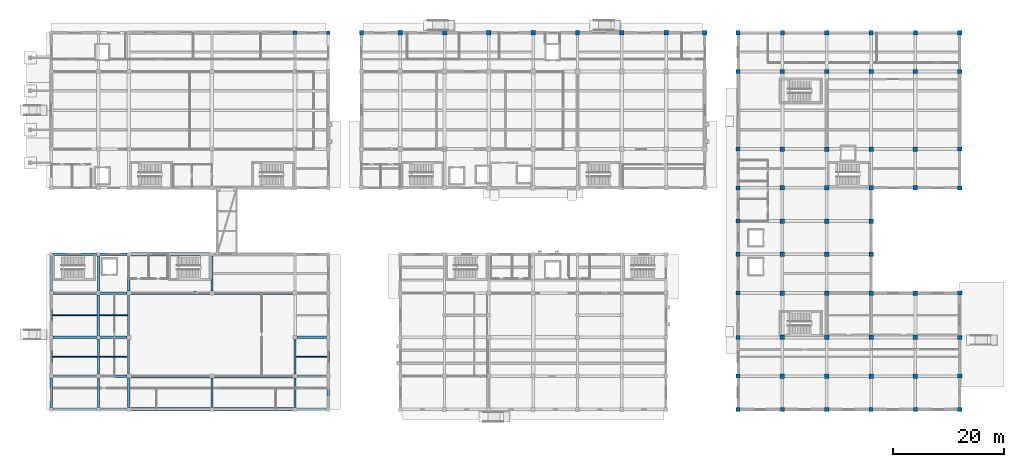
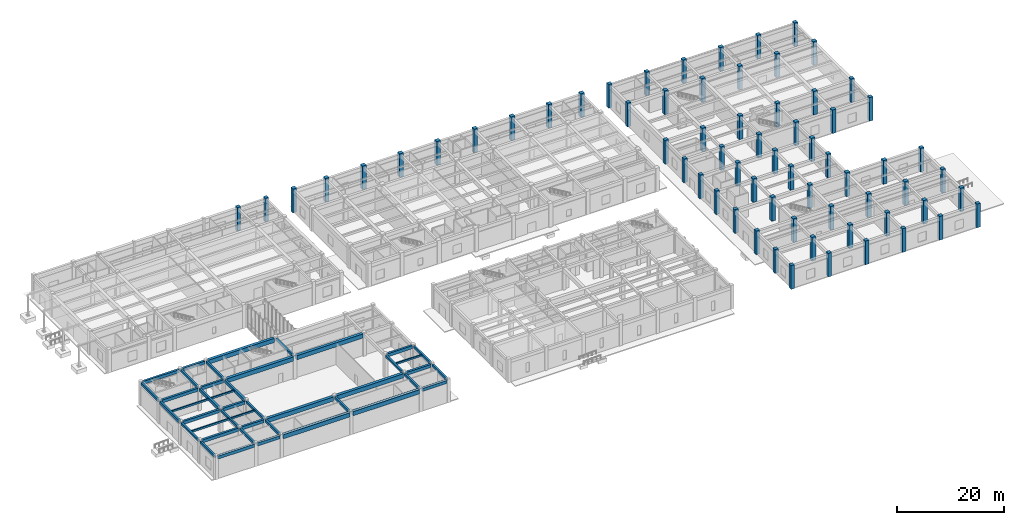
# One storey, part 5 of 40: 67 columns, 43 beams.
"""IFC4 building model written with IfcOpenShell, lengths in metres."""

from ifc_helpers import new_model, si_unit, direction, frame, origin, origin_2d, place, context, subcontext, project, spatial, rectangle, extrude, material, material_profile, profile_set, type_object, element, save


model = new_model("IFC4")

# Units and contexts
model_context = context("Model", 3, precision=1e-05, world=origin(), true_north=direction((0.0, 1.0)))
body_context = subcontext(model_context, "Body", "Model", "MODEL_VIEW")
ifc_project = project(units=[si_unit("LENGTHUNIT", "METRE"), si_unit("AREAUNIT", "SQUARE_METRE"), si_unit("VOLUMEUNIT", "CUBIC_METRE"), si_unit("PLANEANGLEUNIT", "RADIAN"), si_unit("MASSUNIT", "GRAM", prefix="KILO")], contexts=[model_context])

# Site, building, storey
site_placement = place(None, origin())
site = spatial("IfcSite", under=ifc_project, at=site_placement, CompositionType="ELEMENT")
building_placement = place(site_placement, origin())
building = spatial("IfcBuilding", under=site, at=building_placement, Name="Naurynzar Civic Courthouse", CompositionType="ELEMENT")
storey_placement = place(building_placement, origin())
storey = spatial("IfcBuildingStorey", under=building, at=storey_placement, Name="L01", CompositionType="ELEMENT", Elevation=0.0)

# Columns
ifc_material_1 = material(Name="Concrete C40/50", Category="concrete")
ifc_material_profile_1 = material_profile(ifc_material_1, rectangle(XDim=0.699951171875, YDim=0.699951171875, at=origin_2d()), Name="RC 700x700")
ifc_profile_set_1 = profile_set([ifc_material_profile_1], Name="Concrete C40/50")
column_type_1 = type_object("IfcColumnType", Name="COL-RC-700", PredefinedType="COLUMN", material=ifc_profile_set_1)
for number, where, z_axis, x_axis, name in (
    (1, (50.0, 72.0, 0.0), (0.0, 0.0, 1.0), (1.0, 0.0, 0.0), "V1 column (50.0,72.0) L01"),
    (2, (56.0, 72.0, 0.0), (0.0, 0.0, 1.0), (1.0, 0.0, 0.0), "V1 column (56.0,72.0) L01"),
):
    element("IfcColumn", number, at=place(storey_placement, frame(where, z_axis=z_axis, x_axis=x_axis)), inside=storey, type_object=column_type_1, Name=name, PredefinedType="COLUMN", context=body_context, shape_type="SweptSolid", body=[
        extrude(rectangle(XDim=0.699951171875, YDim=0.699951171875, at=origin_2d()), origin(), (0.0, 0.0, 1.0), 5.39990234375),
    ])
ifc_material_2 = material(Name="Concrete C40/50", Category="concrete")
ifc_material_profile_2 = material_profile(ifc_material_2, rectangle(XDim=0.75, YDim=0.75, at=origin_2d()), Name="RC 750x750")
ifc_profile_set_2 = profile_set([ifc_material_profile_2], Name="Concrete C40/50")
column_type_2 = type_object("IfcColumnType", Name="COL-RC-750", PredefinedType="COLUMN", material=ifc_profile_set_2)
for number, where, z_axis, x_axis, name in (
    (3, (130.0, 4.0, 0.0), (0.0, 0.0, 1.0), (1.0, 0.0, 0.0), "V5 column (130.0,4.0) L01"),
    (4, (130.0, 10.0, 0.0), (0.0, 0.0, 1.0), (1.0, 0.0, 0.0), "V5 column (130.0,10.0) L01"),
    (5, (130.0, 17.0, 0.0), (0.0, 0.0, 1.0), (1.0, 0.0, 0.0), "V5 column (130.0,17.0) L01"),
    (6, (130.0, 25.0, 0.0), (0.0, 0.0, 1.0), (1.0, 0.0, 0.0), "V5 column (130.0,25.0) L01"),
    (7, (130.0, 32.0, 0.0), (0.0, 0.0, 1.0), (1.0, 0.0, 0.0), "V5 column (130.0,32.0) L01"),
    (8, (130.0, 38.0, 0.0), (0.0, 0.0, 1.0), (1.0, 0.0, 0.0), "V5 column (130.0,38.0) L01"),
    (9, (130.0, 44.0, 0.0), (0.0, 0.0, 1.0), (1.0, 0.0, 0.0), "V5 column (130.0,44.0) L01"),
    (10, (130.0, 51.0, 0.0), (0.0, 0.0, 1.0), (1.0, 0.0, 0.0), "V5 column (130.0,51.0) L01"),
    (11, (130.0, 65.0, 0.0), (0.0, 0.0, 1.0), (1.0, 0.0, 0.0), "V5 column (130.0,65.0) L01"),
    (12, (130.0, 72.0, 0.0), (0.0, 0.0, 1.0), (1.0, 0.0, 0.0), "V5 column (130.0,72.0) L01"),
    (13, (138.0, 4.0, 0.0), (0.0, 0.0, 1.0), (1.0, 0.0, 0.0), "V5 column (138.0,4.0) L01"),
    (14, (138.0, 72.0, 0.0), (0.0, 0.0, 1.0), (1.0, 0.0, 0.0), "V5 column (138.0,72.0) L01"),
    (15, (146.0, 4.0, 0.0), (0.0, 0.0, 1.0), (1.0, 0.0, 0.0), "V5 column (146.0,4.0) L01"),
    (16, (146.0, 72.0, 0.0), (0.0, 0.0, 1.0), (1.0, 0.0, 0.0), "V5 column (146.0,72.0) L01"),
    (17, (154.0, 4.0, 0.0), (0.0, 0.0, 1.0), (1.0, 0.0, 0.0), "V5 column (154.0,4.0) L01"),
    (18, (154.0, 72.0, 0.0), (0.0, 0.0, 1.0), (1.0, 0.0, 0.0), "V5 column (154.0,72.0) L01"),
    (19, (162.0, 4.0, 0.0), (0.0, 0.0, 1.0), (1.0, 0.0, 0.0), "V5 column (162.0,4.0) L01"),
    (20, (162.0, 72.0, 0.0), (0.0, 0.0, 1.0), (1.0, 0.0, 0.0), "V5 column (162.0,72.0) L01"),
    (21, (170.0, 4.0, 0.0), (0.0, 0.0, 1.0), (1.0, 0.0, 0.0), "V5 column (170.0,4.0) L01"),
    (22, (170.0, 10.0, 0.0), (0.0, 0.0, 1.0), (1.0, 0.0, 0.0), "V5 column (170.0,10.0) L01"),
    (23, (170.0, 17.0, 0.0), (0.0, 0.0, 1.0), (1.0, 0.0, 0.0), "V5 column (170.0,17.0) L01"),
    (24, (170.0, 25.0, 0.0), (0.0, 0.0, 1.0), (1.0, 0.0, 0.0), "V5 column (170.0,25.0) L01"),
    (25, (170.0, 44.0, 0.0), (0.0, 0.0, 1.0), (1.0, 0.0, 0.0), "V5 column (170.0,44.0) L01"),
    (26, (170.0, 51.0, 0.0), (0.0, 0.0, 1.0), (1.0, 0.0, 0.0), "V5 column (170.0,51.0) L01"),
    (27, (170.0, 65.0, 0.0), (0.0, 0.0, 1.0), (1.0, 0.0, 0.0), "V5 column (170.0,65.0) L01"),
    (28, (170.0, 72.0, 0.0), (0.0, 0.0, 1.0), (1.0, 0.0, 0.0), "V5 column (170.0,72.0) L01"),
):
    element("IfcColumn", number, at=place(storey_placement, frame(where, z_axis=z_axis, x_axis=x_axis)), inside=storey, type_object=column_type_2, Name=name, PredefinedType="COLUMN", context=body_context, shape_type="SweptSolid", body=[
        extrude(rectangle(XDim=0.75, YDim=0.75, at=origin_2d()), origin(), (0.0, 0.0, 1.0), 5.39990234375),
    ])
ifc_material_3 = material(Name="Concrete C40/50", Category="concrete")
ifc_material_profile_3 = material_profile(ifc_material_3, rectangle(XDim=0.800048828125, YDim=0.800048828125, at=origin_2d()), Name="RC 800x800")
ifc_profile_set_3 = profile_set([ifc_material_profile_3], Name="Concrete C40/50")
column_type_3 = type_object("IfcColumnType", Name="COL-RC-800", PredefinedType="COLUMN", material=ifc_profile_set_3)
for number, where, z_axis, x_axis, name in (
    (29, (62.0, 72.0, 0.0), (0.0, 0.0, 1.0), (1.0, 0.0, 0.0), "V2 column (62.0,72.0) L01"),
    (30, (69.0, 72.0, 0.0), (0.0, 0.0, 1.0), (1.0, 0.0, 0.0), "V2 column (69.0,72.0) L01"),
    (31, (77.0, 72.0, 0.0), (0.0, 0.0, 1.0), (1.0, 0.0, 0.0), "V2 column (77.0,72.0) L01"),
    (32, (85.0, 72.0, 0.0), (0.0, 0.0, 1.0), (1.0, 0.0, 0.0), "V2 column (85.0,72.0) L01"),
    (33, (93.0, 72.0, 0.0), (0.0, 0.0, 1.0), (1.0, 0.0, 0.0), "V2 column (93.0,72.0) L01"),
    (34, (101.0, 72.0, 0.0), (0.0, 0.0, 1.0), (1.0, 0.0, 0.0), "V2 column (101.0,72.0) L01"),
    (35, (109.0, 72.0, 0.0), (0.0, 0.0, 1.0), (1.0, 0.0, 0.0), "V2 column (109.0,72.0) L01"),
    (36, (117.0, 72.0, 0.0), (0.0, 0.0, 1.0), (1.0, 0.0, 0.0), "V2 column (117.0,72.0) L01"),
    (37, (124.0, 72.0, 0.0), (0.0, 0.0, 1.0), (1.0, 0.0, 0.0), "V2 column (124.0,72.0) L01"),
    (38, (138.0, 10.0, 0.0), (0.0, 0.0, 1.0), (1.0, 0.0, 0.0), "V5 column (138.0,10.0) L01"),
    (39, (138.0, 17.0, 0.0), (0.0, 0.0, 1.0), (1.0, 0.0, 0.0), "V5 column (138.0,17.0) L01"),
    (40, (138.0, 25.0, 0.0), (0.0, 0.0, 1.0), (1.0, 0.0, 0.0), "V5 column (138.0,25.0) L01"),
    (41, (138.0, 32.0, 0.0), (0.0, 0.0, 1.0), (1.0, 0.0, 0.0), "V5 column (138.0,32.0) L01"),
    (42, (138.0, 38.0, 0.0), (0.0, 0.0, 1.0), (1.0, 0.0, 0.0), "V5 column (138.0,38.0) L01"),
    (43, (138.0, 44.0, 0.0), (0.0, 0.0, 1.0), (1.0, 0.0, 0.0), "V5 column (138.0,44.0) L01"),
    (44, (138.0, 51.0, 0.0), (0.0, 0.0, 1.0), (1.0, 0.0, 0.0), "V5 column (138.0,51.0) L01"),
    (45, (138.0, 65.0, 0.0), (0.0, 0.0, 1.0), (1.0, 0.0, 0.0), "V5 column (138.0,65.0) L01"),
    (46, (146.0, 10.0, 0.0), (0.0, 0.0, 1.0), (1.0, 0.0, 0.0), "V5 column (146.0,10.0) L01"),
    (47, (146.0, 17.0, 0.0), (0.0, 0.0, 1.0), (1.0, 0.0, 0.0), "V5 column (146.0,17.0) L01"),
    (48, (146.0, 25.0, 0.0), (0.0, 0.0, 1.0), (1.0, 0.0, 0.0), "V5 column (146.0,25.0) L01"),
    (49, (146.0, 32.0, 0.0), (0.0, 0.0, 1.0), (1.0, 0.0, 0.0), "V5 column (146.0,32.0) L01"),
    (50, (146.0, 38.0, 0.0), (0.0, 0.0, 1.0), (1.0, 0.0, 0.0), "V5 column (146.0,38.0) L01"),
    (51, (146.0, 44.0, 0.0), (0.0, 0.0, 1.0), (1.0, 0.0, 0.0), "V5 column (146.0,44.0) L01"),
    (52, (146.0, 51.0, 0.0), (0.0, 0.0, 1.0), (1.0, 0.0, 0.0), "V5 column (146.0,51.0) L01"),
    (53, (146.0, 65.0, 0.0), (0.0, 0.0, 1.0), (1.0, 0.0, 0.0), "V5 column (146.0,65.0) L01"),
    (54, (154.0, 10.0, 0.0), (0.0, 0.0, 1.0), (1.0, 0.0, 0.0), "V5 column (154.0,10.0) L01"),
    (55, (154.0, 17.0, 0.0), (0.0, 0.0, 1.0), (1.0, 0.0, 0.0), "V5 column (154.0,17.0) L01"),
    (56, (154.0, 25.0, 0.0), (0.0, 0.0, 1.0), (1.0, 0.0, 0.0), "V5 column (154.0,25.0) L01"),
    (57, (154.0, 32.0, 0.0), (0.0, 0.0, 1.0), (1.0, 0.0, 0.0), "V5 column (154.0,32.0) L01"),
    (58, (154.0, 38.0, 0.0), (0.0, 0.0, 1.0), (1.0, 0.0, 0.0), "V5 column (154.0,38.0) L01"),
    (59, (154.0, 44.0, 0.0), (0.0, 0.0, 1.0), (1.0, 0.0, 0.0), "V5 column (154.0,44.0) L01"),
    (60, (154.0, 51.0, 0.0), (0.0, 0.0, 1.0), (1.0, 0.0, 0.0), "V5 column (154.0,51.0) L01"),
    (61, (154.0, 65.0, 0.0), (0.0, 0.0, 1.0), (1.0, 0.0, 0.0), "V5 column (154.0,65.0) L01"),
    (62, (162.0, 10.0, 0.0), (0.0, 0.0, 1.0), (1.0, 0.0, 0.0), "V5 column (162.0,10.0) L01"),
    (63, (162.0, 17.0, 0.0), (0.0, 0.0, 1.0), (1.0, 0.0, 0.0), "V5 column (162.0,17.0) L01"),
    (64, (162.0, 25.0, 0.0), (0.0, 0.0, 1.0), (1.0, 0.0, 0.0), "V5 column (162.0,25.0) L01"),
    (65, (162.0, 44.0, 0.0), (0.0, 0.0, 1.0), (1.0, 0.0, 0.0), "V5 column (162.0,44.0) L01"),
    (66, (162.0, 51.0, 0.0), (0.0, 0.0, 1.0), (1.0, 0.0, 0.0), "V5 column (162.0,51.0) L01"),
    (67, (162.0, 65.0, 0.0), (0.0, 0.0, 1.0), (1.0, 0.0, 0.0), "V5 column (162.0,65.0) L01"),
):
    element("IfcColumn", number, at=place(storey_placement, frame(where, z_axis=z_axis, x_axis=x_axis)), inside=storey, type_object=column_type_3, Name=name, PredefinedType="COLUMN", context=body_context, shape_type="SweptSolid", body=[
        extrude(rectangle(XDim=0.800048828125, YDim=0.800048828125, at=origin_2d()), origin(), (0.0, 0.0, 1.0), 5.39990234375),
    ])

# Beams
ifc_material_4 = material(Name="Concrete C40/50", Category="concrete")
ifc_material_profile_4 = material_profile(ifc_material_4, rectangle(XDim=0.25, YDim=0.39990234375, at=origin_2d()), Name="RCB 250x400")
ifc_profile_set_4 = profile_set([ifc_material_profile_4], Name="Concrete C40/50")
beam_type_1 = type_object("IfcBeamType", Name="BM-JST-250x400", PredefinedType="JOIST", material=ifc_profile_set_4)
beam_1_placement = place(storey_placement, frame((6.199951171875, 13.5, 4.929931640625), z_axis=(1.0, 0.0, 0.0), x_axis=(0.0, 1.0, 0.0)))
element("IfcBeam", 68, at=beam_1_placement, inside=storey, type_object=beam_type_1, Name="V4 secondary rib 1795 L01", PredefinedType="JOIST", context=body_context, shape_type="SweptSolid", body=[
    extrude(rectangle(XDim=0.25, YDim=0.39990234375, at=origin_2d()), origin(), (0.0, 0.0, 1.0), 8.10009765625),
])
beam_2_placement = place(storey_placement, frame((14.699951171875, 13.5, 4.929931640625), z_axis=(1.0, 0.0, 0.0), x_axis=(0.0, 1.0, 0.0)))
element("IfcBeam", 69, at=beam_2_placement, inside=storey, type_object=beam_type_1, Name="V4 secondary rib 1796 L01", PredefinedType="JOIST", context=body_context, shape_type="SweptSolid", body=[
    extrude(rectangle(XDim=0.25, YDim=0.39990234375, at=origin_2d()), origin(), (0.0, 0.0, 1.0), 5.10009765625),
])
beam_3_placement = place(storey_placement, frame((50.199951171875, 13.5, 4.929931640625), z_axis=(1.0, 0.0, 0.0), x_axis=(0.0, 1.0, 0.0)))
element("IfcBeam", 70, at=beam_3_placement, inside=storey, type_object=beam_type_1, Name="V4 secondary rib 1797 L01", PredefinedType="JOIST", context=body_context, shape_type="SweptSolid", body=[
    extrude(rectangle(XDim=0.25, YDim=0.39990234375, at=origin_2d()), origin(), (0.0, 0.0, 1.0), 5.60009765625),
])
beam_4_placement = place(storey_placement, frame((6.22509765625, 21.0, 4.929931640625), z_axis=(1.0, 0.0, 0.0), x_axis=(0.0, 1.0, 0.0)))
element("IfcBeam", 71, at=beam_4_placement, inside=storey, type_object=beam_type_1, Name="V4 secondary rib 1798 L01", PredefinedType="JOIST", context=body_context, shape_type="SweptSolid", body=[
    extrude(rectangle(XDim=0.25, YDim=0.39990234375, at=origin_2d()), origin(), (0.0, 0.0, 1.0), 8.0498046875),
])
beam_5_placement = place(storey_placement, frame((14.72509765625, 21.0, 4.929931640625), z_axis=(1.0, 0.0, 0.0), x_axis=(0.0, 1.0, 0.0)))
element("IfcBeam", 72, at=beam_5_placement, inside=storey, type_object=beam_type_1, Name="V4 secondary rib 1799 L01", PredefinedType="JOIST", context=body_context, shape_type="SweptSolid", body=[
    extrude(rectangle(XDim=0.25, YDim=0.39990234375, at=origin_2d()), origin(), (0.0, 0.0, 1.0), 5.0498046875),
])
ifc_material_5 = material(Name="Concrete C40/50", Category="concrete")
ifc_material_profile_5 = material_profile(ifc_material_5, rectangle(XDim=0.60009765625, YDim=0.949951171875, at=origin_2d()), Name="PTB 600x950")
ifc_profile_set_5 = profile_set([ifc_material_profile_5], Name="Concrete C40/50")
beam_type_2 = type_object("IfcBeamType", Name="BM-PT-600x950", PredefinedType="T_BEAM", material=ifc_profile_set_5)
for number, where, z_axis, x_axis, name in (
    (73, (20.35009765625, 4.0, 4.655029296875), (1.0, 0.0, 0.0), (0.0, 1.0, 0.0), "V4 beam X-1752 L01"),
    (74, (35.35009765625, 4.0, 4.655029296875), (1.0, 0.0, 0.0), (0.0, 1.0, 0.0), "V4 beam X-1753 L01"),
    (75, (20.35009765625, 10.0, 4.655029296875), (1.0, 0.0, 0.0), (0.0, 1.0, 0.0), "V4 beam X-1757 L01"),
    (76, (35.35009765625, 10.0, 4.655029296875), (1.0, 0.0, 0.0), (0.0, 1.0, 0.0), "V4 beam X-1758 L01"),
    (77, (20.35009765625, 25.0, 4.655029296875), (1.0, 0.0, 0.0), (0.0, 1.0, 0.0), "V4 beam X-1765 L01"),
    (78, (35.35009765625, 25.0, 4.655029296875), (1.0, 0.0, 0.0), (0.0, 1.0, 0.0), "V4 beam X-1766 L01"),
    (79, (20.35009765625, 32.0, 4.655029296875), (1.0, 0.0, 0.0), (0.0, 1.0, 0.0), "V4 beam X-1770 L01"),
):
    element("IfcBeam", number, at=place(storey_placement, frame(where, z_axis=z_axis, x_axis=x_axis)), inside=storey, type_object=beam_type_2, Name=name, PredefinedType="T_BEAM", context=body_context, shape_type="SweptSolid", body=[
        extrude(rectangle(XDim=0.60009765625, YDim=0.949951171875, at=origin_2d()), origin(), (0.0, 0.0, 1.0), 14.2998046875),
    ])
ifc_material_6 = material(Name="Concrete C40/50", Category="concrete")
ifc_material_profile_6 = material_profile(ifc_material_6, rectangle(XDim=0.39990234375, YDim=0.550048828125, at=origin_2d()), Name="RCB 400x550")
ifc_profile_set_6 = profile_set([ifc_material_profile_6], Name="Concrete C40/50")
beam_type_3 = type_object("IfcBeamType", Name="BM-RC-400x550", PredefinedType="BEAM", material=ifc_profile_set_6)
beam_6_placement = place(storey_placement, frame((6.0, 4.35009765625, 4.85498046875), z_axis=(0.0, 1.0, 0.0), x_axis=(-1.0, 0.0, 0.0)))
element("IfcBeam", 80, at=beam_6_placement, inside=storey, type_object=beam_type_3, Name="V4 girder Y-1773 L01", PredefinedType="BEAM", context=body_context, shape_type="SweptSolid", body=[
    extrude(rectangle(XDim=0.39990234375, YDim=0.550048828125, at=origin_2d()), origin(), (0.0, 0.0, 1.0), 5.2998046875),
])
for number, where, z_axis, x_axis, name in (
    (81, (6.0, 10.35009765625, 4.85498046875), (0.0, 1.0, 0.0), (-1.0, 0.0, 0.0), "V4 girder Y-1774 L01"),
    (82, (6.0, 25.35009765625, 4.85498046875), (0.0, 1.0, 0.0), (-1.0, 0.0, 0.0), "V4 girder Y-1776 L01"),
):
    element("IfcBeam", number, at=place(storey_placement, frame(where, z_axis=z_axis, x_axis=x_axis)), inside=storey, type_object=beam_type_3, Name=name, PredefinedType="BEAM", context=body_context, shape_type="SweptSolid", body=[
        extrude(rectangle(XDim=0.39990234375, YDim=0.550048828125, at=origin_2d()), origin(), (0.0, 0.0, 1.0), 6.2998046875),
    ])
beam_7_placement = place(storey_placement, frame((14.5, 4.35009765625, 4.85498046875), z_axis=(0.0, 1.0, 0.0), x_axis=(-1.0, 0.0, 0.0)))
element("IfcBeam", 83, at=beam_7_placement, inside=storey, type_object=beam_type_3, Name="V4 girder Y-1777 L01", PredefinedType="BEAM", context=body_context, shape_type="SweptSolid", body=[
    extrude(rectangle(XDim=0.39990234375, YDim=0.550048828125, at=origin_2d()), origin(), (0.0, 0.0, 1.0), 5.2998046875),
])
for number, where, z_axis, x_axis, name in (
    (84, (14.5, 10.35009765625, 4.85498046875), (0.0, 1.0, 0.0), (-1.0, 0.0, 0.0), "V4 girder Y-1778 L01"),
    (85, (14.5, 25.35009765625, 4.85498046875), (0.0, 1.0, 0.0), (-1.0, 0.0, 0.0), "V4 girder Y-1780 L01"),
):
    element("IfcBeam", number, at=place(storey_placement, frame(where, z_axis=z_axis, x_axis=x_axis)), inside=storey, type_object=beam_type_3, Name=name, PredefinedType="BEAM", context=body_context, shape_type="SweptSolid", body=[
        extrude(rectangle(XDim=0.39990234375, YDim=0.550048828125, at=origin_2d()), origin(), (0.0, 0.0, 1.0), 6.2998046875),
    ])
beam_8_placement = place(storey_placement, frame((20.0, 4.35009765625, 4.85498046875), z_axis=(0.0, 1.0, 0.0), x_axis=(-1.0, 0.0, 0.0)))
element("IfcBeam", 86, at=beam_8_placement, inside=storey, type_object=beam_type_3, Name="V4 girder Y-1781 L01", PredefinedType="BEAM", context=body_context, shape_type="SweptSolid", body=[
    extrude(rectangle(XDim=0.39990234375, YDim=0.550048828125, at=origin_2d()), origin(), (0.0, 0.0, 1.0), 5.2998046875),
])
for number, where, z_axis, x_axis, name in (
    (87, (20.0, 10.35009765625, 4.85498046875), (0.0, 1.0, 0.0), (-1.0, 0.0, 0.0), "V4 girder Y-1782 L01"),
    (88, (20.0, 25.35009765625, 4.85498046875), (0.0, 1.0, 0.0), (-1.0, 0.0, 0.0), "V4 girder Y-1784 L01"),
):
    element("IfcBeam", number, at=place(storey_placement, frame(where, z_axis=z_axis, x_axis=x_axis)), inside=storey, type_object=beam_type_3, Name=name, PredefinedType="BEAM", context=body_context, shape_type="SweptSolid", body=[
        extrude(rectangle(XDim=0.39990234375, YDim=0.550048828125, at=origin_2d()), origin(), (0.0, 0.0, 1.0), 6.2998046875),
    ])
beam_9_placement = place(storey_placement, frame((35.0, 4.35009765625, 4.85498046875), z_axis=(0.0, 1.0, 0.0), x_axis=(-1.0, 0.0, 0.0)))
element("IfcBeam", 89, at=beam_9_placement, inside=storey, type_object=beam_type_3, Name="V4 girder Y-1785 L01", PredefinedType="BEAM", context=body_context, shape_type="SweptSolid", body=[
    extrude(rectangle(XDim=0.39990234375, YDim=0.550048828125, at=origin_2d()), origin(), (0.0, 0.0, 1.0), 5.2998046875),
])
beam_10_placement = place(storey_placement, frame((35.0, 25.35009765625, 4.85498046875), z_axis=(0.0, 1.0, 0.0), x_axis=(-1.0, 0.0, 0.0)))
element("IfcBeam", 90, at=beam_10_placement, inside=storey, type_object=beam_type_3, Name="V4 girder Y-1786 L01", PredefinedType="BEAM", context=body_context, shape_type="SweptSolid", body=[
    extrude(rectangle(XDim=0.39990234375, YDim=0.550048828125, at=origin_2d()), origin(), (0.0, 0.0, 1.0), 6.2998046875),
])
beam_11_placement = place(storey_placement, frame((50.0, 4.35009765625, 4.85498046875), z_axis=(0.0, 1.0, 0.0), x_axis=(-1.0, 0.0, 0.0)))
element("IfcBeam", 91, at=beam_11_placement, inside=storey, type_object=beam_type_3, Name="V4 girder Y-1787 L01", PredefinedType="BEAM", context=body_context, shape_type="SweptSolid", body=[
    extrude(rectangle(XDim=0.39990234375, YDim=0.550048828125, at=origin_2d()), origin(), (0.0, 0.0, 1.0), 5.2998046875),
])
beam_12_placement = place(storey_placement, frame((50.0, 10.35009765625, 4.85498046875), z_axis=(0.0, 1.0, 0.0), x_axis=(-1.0, 0.0, 0.0)))
element("IfcBeam", 92, at=beam_12_placement, inside=storey, type_object=beam_type_3, Name="V4 girder Y-1788 L01", PredefinedType="BEAM", context=body_context, shape_type="SweptSolid", body=[
    extrude(rectangle(XDim=0.39990234375, YDim=0.550048828125, at=origin_2d()), origin(), (0.0, 0.0, 1.0), 6.2998046875),
])
beam_13_placement = place(storey_placement, frame((56.0, 4.35009765625, 4.85498046875), z_axis=(0.0, 1.0, 0.0), x_axis=(-1.0, 0.0, 0.0)))
element("IfcBeam", 93, at=beam_13_placement, inside=storey, type_object=beam_type_3, Name="V4 girder Y-1791 L01", PredefinedType="BEAM", context=body_context, shape_type="SweptSolid", body=[
    extrude(rectangle(XDim=0.39990234375, YDim=0.550048828125, at=origin_2d()), origin(), (0.0, 0.0, 1.0), 5.2998046875),
])
beam_14_placement = place(storey_placement, frame((56.0, 10.35009765625, 4.85498046875), z_axis=(0.0, 1.0, 0.0), x_axis=(-1.0, 0.0, 0.0)))
element("IfcBeam", 94, at=beam_14_placement, inside=storey, type_object=beam_type_3, Name="V4 girder Y-1792 L01", PredefinedType="BEAM", context=body_context, shape_type="SweptSolid", body=[
    extrude(rectangle(XDim=0.39990234375, YDim=0.550048828125, at=origin_2d()), origin(), (0.0, 0.0, 1.0), 6.2998046875),
])
ifc_material_7 = material(Name="Concrete C40/50", Category="concrete")
ifc_material_profile_7 = material_profile(ifc_material_7, rectangle(XDim=0.449951171875, YDim=0.699951171875, at=origin_2d()), Name="RCB 450x700")
ifc_profile_set_7 = profile_set([ifc_material_profile_7], Name="Concrete C40/50")
beam_type_4 = type_object("IfcBeamType", Name="BM-RC-450x700", PredefinedType="BEAM", material=ifc_profile_set_7)
beam_15_placement = place(storey_placement, frame((6.35009765625, 4.0, 4.780029296875), z_axis=(1.0, 0.0, 0.0), x_axis=(0.0, 1.0, 0.0)))
element("IfcBeam", 95, at=beam_15_placement, inside=storey, type_object=beam_type_4, Name="V4 beam X-1750 L01", PredefinedType="BEAM", context=body_context, shape_type="SweptSolid", body=[
    extrude(rectangle(XDim=0.449951171875, YDim=0.699951171875, at=origin_2d()), origin(), (0.0, 0.0, 1.0), 7.7998046875),
])
beam_16_placement = place(storey_placement, frame((14.85009765625, 4.0, 4.780029296875), z_axis=(1.0, 0.0, 0.0), x_axis=(0.0, 1.0, 0.0)))
element("IfcBeam", 96, at=beam_16_placement, inside=storey, type_object=beam_type_4, Name="V4 beam X-1751 L01", PredefinedType="BEAM", context=body_context, shape_type="SweptSolid", body=[
    extrude(rectangle(XDim=0.449951171875, YDim=0.699951171875, at=origin_2d()), origin(), (0.0, 0.0, 1.0), 4.7998046875),
])
beam_17_placement = place(storey_placement, frame((50.35009765625, 4.0, 4.780029296875), z_axis=(1.0, 0.0, 0.0), x_axis=(0.0, 1.0, 0.0)))
element("IfcBeam", 97, at=beam_17_placement, inside=storey, type_object=beam_type_4, Name="V4 beam X-1754 L01", PredefinedType="BEAM", context=body_context, shape_type="SweptSolid", body=[
    extrude(rectangle(XDim=0.449951171875, YDim=0.699951171875, at=origin_2d()), origin(), (0.0, 0.0, 1.0), 5.2998046875),
])
beam_18_placement = place(storey_placement, frame((6.35009765625, 10.0, 4.780029296875), z_axis=(1.0, 0.0, 0.0), x_axis=(0.0, 1.0, 0.0)))
element("IfcBeam", 98, at=beam_18_placement, inside=storey, type_object=beam_type_4, Name="V4 beam X-1755 L01", PredefinedType="BEAM", context=body_context, shape_type="SweptSolid", body=[
    extrude(rectangle(XDim=0.449951171875, YDim=0.699951171875, at=origin_2d()), origin(), (0.0, 0.0, 1.0), 7.7998046875),
])
beam_19_placement = place(storey_placement, frame((14.85009765625, 10.0, 4.780029296875), z_axis=(1.0, 0.0, 0.0), x_axis=(0.0, 1.0, 0.0)))
element("IfcBeam", 99, at=beam_19_placement, inside=storey, type_object=beam_type_4, Name="V4 beam X-1756 L01", PredefinedType="BEAM", context=body_context, shape_type="SweptSolid", body=[
    extrude(rectangle(XDim=0.449951171875, YDim=0.699951171875, at=origin_2d()), origin(), (0.0, 0.0, 1.0), 4.7998046875),
])
beam_20_placement = place(storey_placement, frame((50.35009765625, 10.0, 4.780029296875), z_axis=(1.0, 0.0, 0.0), x_axis=(0.0, 1.0, 0.0)))
element("IfcBeam", 100, at=beam_20_placement, inside=storey, type_object=beam_type_4, Name="V4 beam X-1759 L01", PredefinedType="BEAM", context=body_context, shape_type="SweptSolid", body=[
    extrude(rectangle(XDim=0.449951171875, YDim=0.699951171875, at=origin_2d()), origin(), (0.0, 0.0, 1.0), 5.2998046875),
])
beam_21_placement = place(storey_placement, frame((6.35009765625, 17.0, 4.780029296875), z_axis=(1.0, 0.0, 0.0), x_axis=(0.0, 1.0, 0.0)))
element("IfcBeam", 101, at=beam_21_placement, inside=storey, type_object=beam_type_4, Name="V4 beam X-1760 L01", PredefinedType="BEAM", context=body_context, shape_type="SweptSolid", body=[
    extrude(rectangle(XDim=0.449951171875, YDim=0.699951171875, at=origin_2d()), origin(), (0.0, 0.0, 1.0), 7.7998046875),
])
beam_22_placement = place(storey_placement, frame((14.85009765625, 17.0, 4.780029296875), z_axis=(1.0, 0.0, 0.0), x_axis=(0.0, 1.0, 0.0)))
element("IfcBeam", 102, at=beam_22_placement, inside=storey, type_object=beam_type_4, Name="V4 beam X-1761 L01", PredefinedType="BEAM", context=body_context, shape_type="SweptSolid", body=[
    extrude(rectangle(XDim=0.449951171875, YDim=0.699951171875, at=origin_2d()), origin(), (0.0, 0.0, 1.0), 4.7998046875),
])
beam_23_placement = place(storey_placement, frame((50.35009765625, 17.0, 4.780029296875), z_axis=(1.0, 0.0, 0.0), x_axis=(0.0, 1.0, 0.0)))
element("IfcBeam", 103, at=beam_23_placement, inside=storey, type_object=beam_type_4, Name="V4 beam X-1762 L01", PredefinedType="BEAM", context=body_context, shape_type="SweptSolid", body=[
    extrude(rectangle(XDim=0.449951171875, YDim=0.699951171875, at=origin_2d()), origin(), (0.0, 0.0, 1.0), 5.2998046875),
])
beam_24_placement = place(storey_placement, frame((6.35009765625, 25.0, 4.780029296875), z_axis=(1.0, 0.0, 0.0), x_axis=(0.0, 1.0, 0.0)))
element("IfcBeam", 104, at=beam_24_placement, inside=storey, type_object=beam_type_4, Name="V4 beam X-1763 L01", PredefinedType="BEAM", context=body_context, shape_type="SweptSolid", body=[
    extrude(rectangle(XDim=0.449951171875, YDim=0.699951171875, at=origin_2d()), origin(), (0.0, 0.0, 1.0), 7.7998046875),
])
beam_25_placement = place(storey_placement, frame((14.85009765625, 25.0, 4.780029296875), z_axis=(1.0, 0.0, 0.0), x_axis=(0.0, 1.0, 0.0)))
element("IfcBeam", 105, at=beam_25_placement, inside=storey, type_object=beam_type_4, Name="V4 beam X-1764 L01", PredefinedType="BEAM", context=body_context, shape_type="SweptSolid", body=[
    extrude(rectangle(XDim=0.449951171875, YDim=0.699951171875, at=origin_2d()), origin(), (0.0, 0.0, 1.0), 4.7998046875),
])
beam_26_placement = place(storey_placement, frame((6.35009765625, 32.0, 4.780029296875), z_axis=(1.0, 0.0, 0.0), x_axis=(0.0, 1.0, 0.0)))
element("IfcBeam", 106, at=beam_26_placement, inside=storey, type_object=beam_type_4, Name="V4 beam X-1768 L01", PredefinedType="BEAM", context=body_context, shape_type="SweptSolid", body=[
    extrude(rectangle(XDim=0.449951171875, YDim=0.699951171875, at=origin_2d()), origin(), (0.0, 0.0, 1.0), 7.7998046875),
])
beam_27_placement = place(storey_placement, frame((14.85009765625, 32.0, 4.780029296875), z_axis=(1.0, 0.0, 0.0), x_axis=(0.0, 1.0, 0.0)))
element("IfcBeam", 107, at=beam_27_placement, inside=storey, type_object=beam_type_4, Name="V4 beam X-1769 L01", PredefinedType="BEAM", context=body_context, shape_type="SweptSolid", body=[
    extrude(rectangle(XDim=0.449951171875, YDim=0.699951171875, at=origin_2d()), origin(), (0.0, 0.0, 1.0), 4.7998046875),
])
for number, where, z_axis, x_axis, name in (
    (108, (6.0, 17.35009765625, 4.780029296875), (0.0, 1.0, 0.0), (-1.0, 0.0, 0.0), "V4 girder Y-1775 L01"),
    (109, (14.5, 17.35009765625, 4.780029296875), (0.0, 1.0, 0.0), (-1.0, 0.0, 0.0), "V4 girder Y-1779 L01"),
    (110, (20.0, 17.35009765625, 4.780029296875), (0.0, 1.0, 0.0), (-1.0, 0.0, 0.0), "V4 girder Y-1783 L01"),
):
    element("IfcBeam", number, at=place(storey_placement, frame(where, z_axis=z_axis, x_axis=x_axis)), inside=storey, type_object=beam_type_4, Name=name, PredefinedType="BEAM", context=body_context, shape_type="SweptSolid", body=[
        extrude(rectangle(XDim=0.449951171875, YDim=0.699951171875, at=origin_2d()), origin(), (0.0, 0.0, 1.0), 7.2998046875),
    ])

save(model, "model.ifc")
